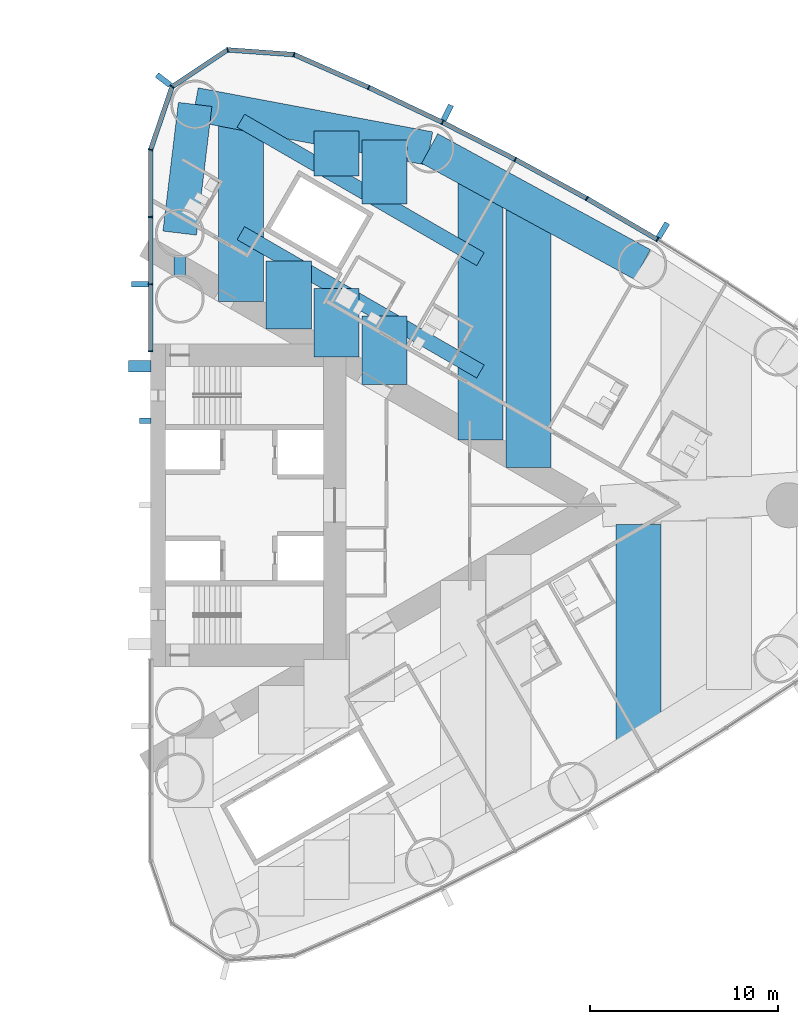
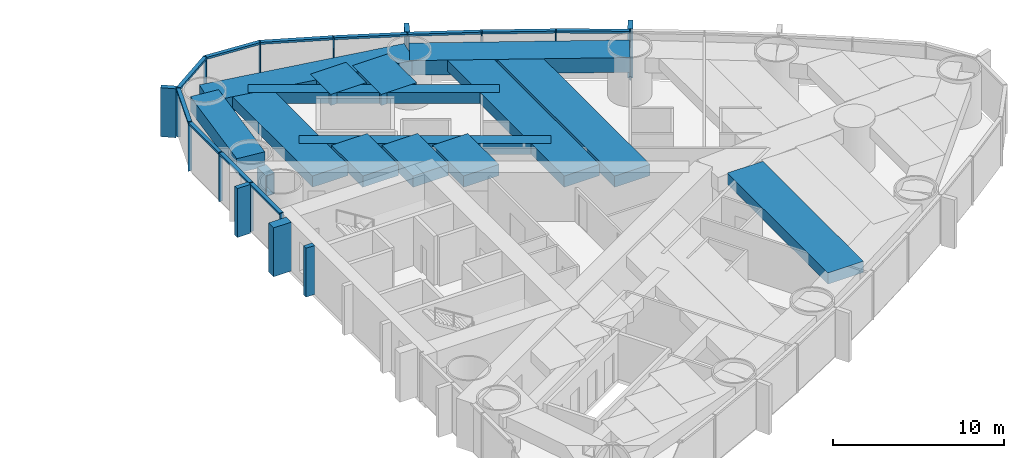
# One storey, part 7 of 19: 29 members, 15 beams, 1 element without a shape of its own.
"""IFC4 building model written with IfcOpenShell, lengths in metres."""

from ifc_helpers import new_model, si_unit, direction, frame, origin, origin_2d, place, context, subcontext, project, spatial, rectangle, hollow_rectangle, extrude, material, material_profile, profile_set, type_object, element, aggregate, save


model = new_model("IFC4")

# Units and contexts
model_context = context("Model", 3, precision=1e-05, world=origin(), true_north=direction((0.0, 1.0)))
body_context = subcontext(model_context, "Body", "Model", "MODEL_VIEW")
ifc_project = project(units=[si_unit("LENGTHUNIT", "METRE"), si_unit("AREAUNIT", "SQUARE_METRE"), si_unit("VOLUMEUNIT", "CUBIC_METRE"), si_unit("PLANEANGLEUNIT", "RADIAN"), si_unit("MASSUNIT", "GRAM", prefix="KILO")], contexts=[model_context])

# Site, building, storey
site_placement = place(None, origin())
site = spatial("IfcSite", under=ifc_project, at=site_placement, CompositionType="ELEMENT")
building_placement = place(site_placement, origin())
building = spatial("IfcBuilding", under=site, at=building_placement, Name="Lancet Gate Hotel", CompositionType="ELEMENT")
storey_placement = place(building_placement, frame((0.0, 0.0, 122.10009765625)))
storey = spatial("IfcBuildingStorey", under=building, at=storey_placement, Name="L32", CompositionType="ELEMENT", Elevation=122.10009765625)

# Curtain wall, members
ifc_material_1 = material(Name="Aluminium curtain wall", Category="aluminium")
curtain_wall_type = type_object("IfcCurtainWallType", Name="Tower unitised curtain wall", PredefinedType="USERDEFINED", material=ifc_material_1)
curtain_wall_placement = place(storey_placement, origin())
curtain_wall = element("IfcCurtainWall", 1, at=curtain_wall_placement, inside=storey, type_object=curtain_wall_type, Name="T2 L32 curtain wall 1", ObjectType="UNITISED CURTAIN WALL", PredefinedType="USERDEFINED")
ifc_material_2 = material(Name="Aluminium mullion", Category="aluminium")
ifc_material_profile_1 = material_profile(ifc_material_2, rectangle(XDim=0.06494140625, YDim=0.25, at=origin_2d()), Name="MULLION 65x250")
ifc_profile_set_1 = profile_set([ifc_material_profile_1], Name="Aluminium mullion")
member_type_1 = type_object("IfcMemberType", Name="Aluminium mullion 65x250", PredefinedType="MULLION", material=ifc_profile_set_1)
member_1_placement = place(storey_placement, frame((54.496337890625, 14.1552734375, 0.0), z_axis=(0.0, 0.0, 1.0), x_axis=(-0.856728030701, 0.515768437781, 0.0)))
member_1 = element("IfcMember", 2, at=member_1_placement, type_object=member_type_1, Name="T2 L32 curtain wall 1 mullion 23", PredefinedType="MULLION", context=body_context, shape_type="SweptSolid", body=[
    extrude(rectangle(XDim=0.06494140625, YDim=0.25, at=origin_2d()), origin(), (0.0, 0.0, 1.0), 3.5),
])
member_2_placement = place(storey_placement, frame((50.740478515625, 16.344482421875, 0.0), z_axis=(0.0, 0.0, 1.0), x_axis=(-0.871028838445, 0.491231882716, 0.0)))
member_2 = element("IfcMember", 3, at=member_2_placement, type_object=member_type_1, Name="T2 L32 curtain wall 1 mullion 24", PredefinedType="MULLION", context=body_context, shape_type="SweptSolid", body=[
    extrude(rectangle(XDim=0.06494140625, YDim=0.25, at=origin_2d()), origin(), (0.0, 0.0, 1.0), 3.5),
])
member_3_placement = place(storey_placement, frame((46.923828125, 18.426025390625, 0.0), z_axis=(0.0, 0.0, 1.0), x_axis=(-0.884627112962, 0.466299121822, 0.0)))
member_3 = element("IfcMember", 4, at=member_3_placement, type_object=member_type_1, Name="T2 L32 curtain wall 1 mullion 25", PredefinedType="MULLION", context=body_context, shape_type="SweptSolid", body=[
    extrude(rectangle(XDim=0.06494140625, YDim=0.25, at=origin_2d()), origin(), (0.0, 0.0, 1.0), 3.5),
])
member_4_placement = place(storey_placement, frame((43.0498046875, 20.398193359375, 0.0), z_axis=(0.0, 0.0, 1.0), x_axis=(-0.897511886496, 0.440990264743, 0.0)))
member_4 = element("IfcMember", 5, at=member_4_placement, type_object=member_type_1, Name="T2 L32 curtain wall 1 mullion 26", PredefinedType="MULLION", context=body_context, shape_type="SweptSolid", body=[
    extrude(rectangle(XDim=0.06494140625, YDim=0.25, at=origin_2d()), origin(), (0.0, 0.0, 1.0), 3.5),
])
member_5_placement = place(storey_placement, frame((39.12109375, 22.259765625, 0.0), z_axis=(0.0, 0.0, 1.0), x_axis=(-0.909672766767, 0.415325724465, 0.0)))
member_5 = element("IfcMember", 6, at=member_5_placement, type_object=member_type_1, Name="T2 L32 curtain wall 1 mullion 27", PredefinedType="MULLION", context=body_context, shape_type="SweptSolid", body=[
    extrude(rectangle(XDim=0.06494140625, YDim=0.25, at=origin_2d()), origin(), (0.0, 0.0, 1.0), 3.5),
])
member_6_placement = place(storey_placement, frame((35.141357421875, 24.009033203125, 0.0), z_axis=(0.0, 0.0, 1.0), x_axis=(-0.966317378791, 0.257353304711, 0.0)))
member_6 = element("IfcMember", 7, at=member_6_placement, type_object=member_type_1, Name="T2 L32 curtain wall 1 mullion 28", PredefinedType="MULLION", context=body_context, shape_type="SweptSolid", body=[
    extrude(rectangle(XDim=0.06494140625, YDim=0.25, at=origin_2d()), origin(), (0.0, 0.0, 1.0), 3.5),
])
member_7_placement = place(storey_placement, frame((31.60205078125, 24.26220703125, 0.0), z_axis=(0.0, 0.0, 1.0), x_axis=(-0.967157174963, -0.254179068604, 0.0)))
member_7 = element("IfcMember", 8, at=member_7_placement, type_object=member_type_1, Name="T2 L32 curtain wall 1 mullion 29", PredefinedType="MULLION", context=body_context, shape_type="SweptSolid", body=[
    extrude(rectangle(XDim=0.06494140625, YDim=0.25, at=origin_2d()), origin(), (0.0, 0.0, 1.0), 3.5),
])
member_8_placement = place(storey_placement, frame((28.64453125, 22.301513671875, 0.0), z_axis=(0.0, 0.0, 1.0), x_axis=(-0.610663954798, -0.79188984986, 0.0)))
member_8 = element("IfcMember", 9, at=member_8_placement, type_object=member_type_1, Name="T2 L32 curtain wall 1 mullion 30", PredefinedType="MULLION", context=body_context, shape_type="SweptSolid", body=[
    extrude(rectangle(XDim=0.06494140625, YDim=0.25, at=origin_2d()), origin(), (0.0, 0.0, 1.0), 3.5),
])
member_9_placement = place(storey_placement, frame((27.5, 18.94287109375, 0.0), z_axis=(0.0, 0.0, 1.0), x_axis=(-0.162738742557, -0.986669195663, 0.0)))
member_9 = element("IfcMember", 10, at=member_9_placement, type_object=member_type_1, Name="T2 L32 curtain wall 1 mullion 31", PredefinedType="MULLION", context=body_context, shape_type="SweptSolid", body=[
    extrude(rectangle(XDim=0.06494140625, YDim=0.25, at=origin_2d()), origin(), (0.0, 0.0, 1.0), 3.5),
])
member_10_placement = place(storey_placement, frame((27.5, 15.362060546875, 0.0), z_axis=(0.0, 0.0, 1.0), x_axis=(0.0, -1.0, 0.0)))
member_10 = element("IfcMember", 11, at=member_10_placement, type_object=member_type_1, Name="T2 L32 curtain wall 1 mullion 32", PredefinedType="MULLION", context=body_context, shape_type="SweptSolid", body=[
    extrude(rectangle(XDim=0.06494140625, YDim=0.25, at=origin_2d()), origin(), (0.0, 0.0, 1.0), 3.5),
])
member_11_placement = place(storey_placement, frame((27.5, 11.781005859375, 0.0), z_axis=(0.0, 0.0, 1.0), x_axis=(0.0, -1.0, 0.0)))
member_11 = element("IfcMember", 12, at=member_11_placement, type_object=member_type_1, Name="T2 L32 curtain wall 1 mullion 33", PredefinedType="MULLION", context=body_context, shape_type="SweptSolid", body=[
    extrude(rectangle(XDim=0.06494140625, YDim=0.25, at=origin_2d()), origin(), (0.0, 0.0, 1.0), 3.5),
])
member_12_placement = place(storey_placement, frame((27.5, 8.199951171875, 0.0), z_axis=(0.0, 0.0, 1.0), x_axis=(0.0, -1.0, 0.0)))
member_12 = element("IfcMember", 13, at=member_12_placement, type_object=member_type_1, Name="T2 L32 curtain wall 1 mullion 34", PredefinedType="MULLION", context=body_context, shape_type="SweptSolid", body=[
    extrude(rectangle(XDim=0.06494140625, YDim=0.25, at=origin_2d()), origin(), (0.0, 0.0, 1.0), 3.5),
])
ifc_material_3 = material(Name="Aluminium transom", Category="aluminium")
ifc_material_profile_2 = material_profile(ifc_material_3, rectangle(XDim=0.25, YDim=0.14990234375, at=origin_2d()), Name="TRANSOM 250x150")
ifc_profile_set_2 = profile_set([ifc_material_profile_2], Name="Aluminium transom")
member_type_2 = type_object("IfcMemberType", Name="Aluminium transom 250x150", PredefinedType="USERDEFINED", material=ifc_profile_set_2)
member_13_placement = place(storey_placement, frame((54.46826171875, 14.171630859375, 3.4248046875), z_axis=(-0.863973212152, 0.503537772847, 0.0), x_axis=(-0.503537772847, -0.863973212152, 0.0)))
member_13 = element("IfcMember", 14, at=member_13_placement, type_object=member_type_2, Name="T2 L32 curtain wall 1 transom 23", ObjectType="TRANSOM", PredefinedType="USERDEFINED", context=body_context, shape_type="SweptSolid", body=[
    extrude(rectangle(XDim=0.25, YDim=0.14990234375, at=origin_2d()), origin(), (0.0, 0.0, 1.0), 4.2822265625),
])
member_14_placement = place(storey_placement, frame((50.7119140625, 16.35986328125, 3.4248046875), z_axis=(-0.877906466435, 0.478832158685, 0.0), x_axis=(-0.478832158685, -0.877906466435, 0.0)))
member_14 = element("IfcMember", 15, at=member_14_placement, type_object=member_type_2, Name="T2 L32 curtain wall 1 transom 24", ObjectType="TRANSOM", PredefinedType="USERDEFINED", context=body_context, shape_type="SweptSolid", body=[
    extrude(rectangle(XDim=0.25, YDim=0.14990234375, at=origin_2d()), origin(), (0.0, 0.0, 1.0), 4.282470703125),
])
member_15_placement = place(storey_placement, frame((46.89501953125, 18.440673828125, 3.4248046875), z_axis=(-0.891165630033, 0.453678101574, 0.0), x_axis=(-0.453678101574, -0.891165630033, 0.0)))
member_15 = element("IfcMember", 16, at=member_15_placement, type_object=member_type_2, Name="T2 L32 curtain wall 1 transom 25", ObjectType="TRANSOM", PredefinedType="USERDEFINED", context=body_context, shape_type="SweptSolid", body=[
    extrude(rectangle(XDim=0.25, YDim=0.14990234375, at=origin_2d()), origin(), (0.0, 0.0, 1.0), 4.282470703125),
])
member_16_placement = place(storey_placement, frame((43.0205078125, 20.412109375, 3.4248046875), z_axis=(-0.903679787814, 0.428208875546, 0.0), x_axis=(-0.428208875546, -0.903679787814, 0.0)))
member_16 = element("IfcMember", 17, at=member_16_placement, type_object=member_type_2, Name="T2 L32 curtain wall 1 transom 26", ObjectType="TRANSOM", PredefinedType="USERDEFINED", context=body_context, shape_type="SweptSolid", body=[
    extrude(rectangle(XDim=0.25, YDim=0.14990234375, at=origin_2d()), origin(), (0.0, 0.0, 1.0), 4.282470703125),
])
member_17_placement = place(storey_placement, frame((39.09130859375, 22.27294921875, 3.4248046875), z_axis=(-0.915484772266, 0.402352621155, 0.0), x_axis=(-0.402352621155, -0.915484772266, 0.0)))
member_17 = element("IfcMember", 18, at=member_17_placement, type_object=member_type_2, Name="T2 L32 curtain wall 1 transom 27", ObjectType="TRANSOM", PredefinedType="USERDEFINED", context=body_context, shape_type="SweptSolid", body=[
    extrude(rectangle(XDim=0.25, YDim=0.14990234375, at=origin_2d()), origin(), (0.0, 0.0, 1.0), 4.281982421875),
])
member_18_placement = place(storey_placement, frame((35.10888671875, 24.01123046875, 3.4248046875), z_axis=(-0.997446232115, 0.071421383636, 0.0), x_axis=(-0.071421383636, -0.997446232115, 0.0)))
member_18 = element("IfcMember", 19, at=member_18_placement, type_object=member_type_2, Name="T2 L32 curtain wall 1 transom 28", ObjectType="TRANSOM", PredefinedType="USERDEFINED", context=body_context, shape_type="SweptSolid", body=[
    extrude(rectangle(XDim=0.25, YDim=0.14990234375, at=origin_2d()), origin(), (0.0, 0.0, 1.0), 3.483154296875),
])
member_19_placement = place(storey_placement, frame((31.574951171875, 24.244384765625, 3.4248046875), z_axis=(-0.833470854141, -0.552563421968, 0.0), x_axis=(0.552563421968, -0.833470854141, 0.0)))
member_19 = element("IfcMember", 20, at=member_19_placement, type_object=member_type_2, Name="T2 L32 curtain wall 1 transom 29", ObjectType="TRANSOM", PredefinedType="USERDEFINED", context=body_context, shape_type="SweptSolid", body=[
    extrude(rectangle(XDim=0.25, YDim=0.14990234375, at=origin_2d()), origin(), (0.0, 0.0, 1.0), 3.4833984375),
])
member_20_placement = place(storey_placement, frame((28.634033203125, 22.270751953125, 3.4248046875), z_axis=(-0.322549769135, -0.946552505903, 0.0), x_axis=(0.946552505903, -0.322549769135, 0.0)))
member_20 = element("IfcMember", 21, at=member_20_placement, type_object=member_type_2, Name="T2 L32 curtain wall 1 transom 30", ObjectType="TRANSOM", PredefinedType="USERDEFINED", context=body_context, shape_type="SweptSolid", body=[
    extrude(rectangle(XDim=0.25, YDim=0.14990234375, at=origin_2d()), origin(), (0.0, 0.0, 1.0), 3.4833984375),
])
member_21_placement = place(storey_placement, frame((27.5, 18.910400390625, 3.4248046875), z_axis=(0.0, -1.0, 0.0), x_axis=(1.0, 0.0, 0.0)))
member_21 = element("IfcMember", 22, at=member_21_placement, type_object=member_type_2, Name="T2 L32 curtain wall 1 transom 31", ObjectType="TRANSOM", PredefinedType="USERDEFINED", context=body_context, shape_type="SweptSolid", body=[
    extrude(rectangle(XDim=0.25, YDim=0.14990234375, at=origin_2d()), origin(), (0.0, 0.0, 1.0), 3.515869140625),
])
member_22_placement = place(storey_placement, frame((27.5, 15.329345703125, 3.4248046875), z_axis=(0.0, -1.0, 0.0), x_axis=(1.0, 0.0, 0.0)))
member_22 = element("IfcMember", 23, at=member_22_placement, type_object=member_type_2, Name="T2 L32 curtain wall 1 transom 32", ObjectType="TRANSOM", PredefinedType="USERDEFINED", context=body_context, shape_type="SweptSolid", body=[
    extrude(rectangle(XDim=0.25, YDim=0.14990234375, at=origin_2d()), origin(), (0.0, 0.0, 1.0), 3.515869140625),
])
member_23_placement = place(storey_placement, frame((27.5, 11.74853515625, 3.4248046875), z_axis=(0.0, -1.0, 0.0), x_axis=(1.0, 0.0, 0.0)))
member_23 = element("IfcMember", 24, at=member_23_placement, type_object=member_type_2, Name="T2 L32 curtain wall 1 transom 33", ObjectType="TRANSOM", PredefinedType="USERDEFINED", context=body_context, shape_type="SweptSolid", body=[
    extrude(rectangle(XDim=0.25, YDim=0.14990234375, at=origin_2d()), origin(), (0.0, 0.0, 1.0), 3.51611328125),
])

# Beams
ifc_material_4 = material(Name="Concrete C50/60", Category="concrete")
ifc_material_profile_3 = material_profile(ifc_material_4, rectangle(XDim=1.800048828125, YDim=1.050048828125, at=origin_2d()), Name="RC 1800x1050")
ifc_profile_set_3 = profile_set([ifc_material_profile_3], Name="Concrete C50/60")
beam_type_1 = type_object("IfcBeamType", Name="Edge beam RC 1800x1050", PredefinedType="SPANDREL", material=ifc_profile_set_3)
beam_1_placement = place(storey_placement, frame((53.697021484375, 12.827392578125, 2.724853515625), z_axis=(-0.87792015078, 0.478807068509, 0.0), x_axis=(-0.478807068509, -0.87792015078, 0.0)))
element("IfcBeam", 25, at=beam_1_placement, inside=storey, type_object=beam_type_1, Name="T2 edge beam EB1 L32", PredefinedType="SPANDREL", context=body_context, shape_type="SweptSolid", body=[
    extrude(rectangle(XDim=1.800048828125, YDim=1.050048828125, at=origin_2d()), origin(), (0.0, 0.0, 1.0), 12.906494140625),
])
beam_2_placement = place(storey_placement, frame((42.3662109375, 19.007080078125, 2.724853515625), z_axis=(-0.982797318081, 0.184687388776, 0.0), x_axis=(-0.184687388776, -0.982797318081, 0.0)))
element("IfcBeam", 26, at=beam_2_placement, inside=storey, type_object=beam_type_1, Name="T2 edge beam EB1 L32", PredefinedType="SPANDREL", context=body_context, shape_type="SweptSolid", body=[
    extrude(rectangle(XDim=1.800048828125, YDim=1.050048828125, at=origin_2d()), origin(), (0.0, 0.0, 1.0), 12.712890625),
])
beam_3_placement = place(storey_placement, frame((29.050048828125, 14.5, 2.724853515625), z_axis=(0.119062951196, 0.99288670736, 0.0), x_axis=(-0.99288670736, 0.119062951196, 0.0)))
element("IfcBeam", 27, at=beam_3_placement, inside=storey, type_object=beam_type_1, Name="T2 edge beam EB1 L32", PredefinedType="SPANDREL", context=body_context, shape_type="SweptSolid", body=[
    extrude(rectangle(XDim=1.800048828125, YDim=1.050048828125, at=origin_2d()), origin(), (0.0, 0.0, 1.0), 6.904052734375),
])

# Member
ifc_material_5 = material(Name="Concrete C60/75", Category="concrete")
ifc_material_profile_4 = material_profile(ifc_material_5, rectangle(XDim=0.60009765625, YDim=1.199951171875, at=origin_2d()), Name="FIN 600x1200")
ifc_profile_set_4 = profile_set([ifc_material_profile_4], Name="Concrete C60/75")
member_type_3 = type_object("IfcMemberType", Name="Exposed concrete buttress pilaster 600x1200", PredefinedType="USERDEFINED", material=ifc_profile_set_4)
member_24_placement = place(storey_placement, frame((26.909912109375, 7.39990234375, 0.0), z_axis=(0.0, 0.0, 1.0), x_axis=(0.0, 1.0, 0.0)))
element("IfcMember", 28, at=member_24_placement, inside=storey, type_object=member_type_3, Name="T2 buttress pilaster N L32", ObjectType="FIN", PredefinedType="USERDEFINED", context=body_context, shape_type="SweptSolid", body=[
    extrude(rectangle(XDim=0.60009765625, YDim=1.199951171875, at=origin_2d()), origin(), (0.0, 0.0, 1.0), 3.5),
])

ifc_material_6 = material(Name="Precast concrete C50/60", Category="concrete")
ifc_material_profile_5 = material_profile(ifc_material_6, rectangle(XDim=0.300048828125, YDim=0.89990234375, at=origin_2d()), Name="FIN 300x900")
ifc_profile_set_5 = profile_set([ifc_material_profile_5], Name="Precast concrete C50/60")
member_type_4 = type_object("IfcMemberType", Name="Exposed concrete fin 300x900", PredefinedType="USERDEFINED", material=ifc_profile_set_5)
member_25_placement = place(storey_placement, frame((54.79296875, 14.64794921875, 0.0), z_axis=(0.0, 0.0, 1.0), x_axis=(-0.856728030701, 0.515768437781, 0.0)))
member_25 = element("IfcMember", 29, at=member_25_placement, type_object=member_type_4, Name="T2 L32 curtain wall 1 fin 23", ObjectType="FIN", PredefinedType="USERDEFINED", context=body_context, shape_type="SweptSolid", body=[
    extrude(rectangle(XDim=0.300048828125, YDim=0.89990234375, at=origin_2d()), origin(), (0.0, 0.0, 1.0), 3.5),
])

member_26_placement = place(storey_placement, frame((43.30322265625, 20.914306640625, 0.0), z_axis=(0.0, 0.0, 1.0), x_axis=(-0.897511886496, 0.440990264743, 0.0)))
member_26 = element("IfcMember", 30, at=member_26_placement, type_object=member_type_4, Name="T2 L32 curtain wall 1 fin 26", ObjectType="FIN", PredefinedType="USERDEFINED", context=body_context, shape_type="SweptSolid", body=[
    extrude(rectangle(XDim=0.300048828125, YDim=0.89990234375, at=origin_2d()), origin(), (0.0, 0.0, 1.0), 3.5),
])

member_27_placement = place(storey_placement, frame((28.189208984375, 22.65283203125, 0.0), z_axis=(0.0, 0.0, 1.0), x_axis=(-0.610663954798, -0.79188984986, 0.0)))
member_27 = element("IfcMember", 31, at=member_27_placement, type_object=member_type_4, Name="T2 L32 curtain wall 1 fin 30", ObjectType="FIN", PredefinedType="USERDEFINED", context=body_context, shape_type="SweptSolid", body=[
    extrude(rectangle(XDim=0.300048828125, YDim=0.89990234375, at=origin_2d()), origin(), (0.0, 0.0, 1.0), 3.5),
])

member_28_placement = place(storey_placement, frame((26.925048828125, 11.781005859375, 0.0), z_axis=(0.0, 0.0, 1.0), x_axis=(0.0, -1.0, 0.0)))
member_28 = element("IfcMember", 32, at=member_28_placement, type_object=member_type_4, Name="T2 L32 curtain wall 1 fin 33", ObjectType="FIN", PredefinedType="USERDEFINED", context=body_context, shape_type="SweptSolid", body=[
    extrude(rectangle(XDim=0.300048828125, YDim=0.89990234375, at=origin_2d()), origin(), (0.0, 0.0, 1.0), 3.5),
])

aggregate(curtain_wall, [member_1, member_25, member_2, member_3, member_4, member_26, member_5, member_6, member_7, member_8, member_27, member_9, member_10, member_11, member_28, member_12, member_13, member_14, member_15, member_16, member_17, member_18, member_19, member_20, member_21, member_22, member_23])

ifc_material_7 = material(Name="Concrete C60/75", Category="concrete")
ifc_material_profile_6 = material_profile(ifc_material_7, rectangle(XDim=0.300048828125, YDim=0.60009765625, at=origin_2d()), Name="FIN 300x600")
ifc_profile_set_6 = profile_set([ifc_material_profile_6], Name="Concrete C60/75")
member_type_5 = type_object("IfcMemberType", Name="Exposed concrete rib 300x600", PredefinedType="USERDEFINED", material=ifc_profile_set_6)
member_29_placement = place(storey_placement, frame((27.2099609375, 4.5, 0.0), z_axis=(0.0, 0.0, 1.0), x_axis=(0.0, 1.0, 0.0)))
element("IfcMember", 33, at=member_29_placement, inside=storey, type_object=member_type_5, Name="T2 core rib 3 L32", ObjectType="FIN", PredefinedType="USERDEFINED", context=body_context, shape_type="SweptSolid", body=[
    extrude(rectangle(XDim=0.300048828125, YDim=0.60009765625, at=origin_2d()), origin(), (0.0, 0.0, 1.0), 3.5),
])

# Beams
ifc_material_8 = material(Name="Concrete C50/60", Category="concrete")
ifc_material_profile_7 = material_profile(ifc_material_8, rectangle(XDim=2.39990234375, YDim=0.800048828125, at=origin_2d()), Name="RC 2400x800")
ifc_profile_set_7 = profile_set([ifc_material_profile_7], Name="Concrete C50/60")
beam_type_2 = type_object("IfcBeamType", Name="Floor beam RC 2400x800", PredefinedType="BEAM", material=ifc_profile_set_7)
beam_4_placement = place(storey_placement, frame((32.306396484375, 10.851806640625, 2.849853515625), z_axis=(0.0, 1.0, 0.0), x_axis=(-1.0, 0.0, 0.0)))
element("IfcBeam", 34, at=beam_4_placement, inside=storey, type_object=beam_type_2, Name="T2 floor beam F02N L32", PredefinedType="BEAM", context=body_context, shape_type="SweptSolid", body=[
    extrude(rectangle(XDim=2.39990234375, YDim=0.800048828125, at=origin_2d()), origin(), (0.0, 0.0, 1.0), 10.0458984375),
])
beam_5_placement = place(storey_placement, frame((45.072265625, 3.4814453125, 2.849853515625), z_axis=(0.0, 1.0, 0.0), x_axis=(-1.0, 0.0, 0.0)))
element("IfcBeam", 35, at=beam_5_placement, inside=storey, type_object=beam_type_2, Name="T2 floor beam F10N L32", PredefinedType="BEAM", context=body_context, shape_type="SweptSolid", body=[
    extrude(rectangle(XDim=2.39990234375, YDim=0.800048828125, at=origin_2d()), origin(), (0.0, 0.0, 1.0), 14.0498046875),
])
beam_6_placement = place(storey_placement, frame((47.62548828125, 2.00732421875, 2.849853515625), z_axis=(0.0, 1.0, 0.0), x_axis=(-1.0, 0.0, 0.0)))
element("IfcBeam", 36, at=beam_6_placement, inside=storey, type_object=beam_type_2, Name="T2 floor beam F12N L32", PredefinedType="BEAM", context=body_context, shape_type="SweptSolid", body=[
    extrude(rectangle(XDim=2.39990234375, YDim=0.800048828125, at=origin_2d()), origin(), (0.0, 0.0, 1.0), 14.13134765625),
])
beam_7_placement = place(storey_placement, frame((53.502197265625, -12.804443359375, 2.849853515625), z_axis=(0.0, 1.0, 0.0), x_axis=(-1.0, 0.0, 0.0)))
element("IfcBeam", 37, at=beam_7_placement, inside=storey, type_object=beam_type_2, Name="T2 floor beam F13S L32", PredefinedType="BEAM", context=body_context, shape_type="SweptSolid", body=[
    extrude(rectangle(XDim=2.39990234375, YDim=0.800048828125, at=origin_2d()), origin(), (0.0, 0.0, 1.0), 11.78564453125),
])
beam_8_placement = place(storey_placement, frame((34.859619140625, 9.377685546875, 2.849853515625), z_axis=(0.0, 1.0, 0.0), x_axis=(-1.0, 0.0, 0.0)))
element("IfcBeam", 38, at=beam_8_placement, inside=storey, type_object=beam_type_2, Name="T2 floor beam F04NA L32", PredefinedType="BEAM", context=body_context, shape_type="SweptSolid", body=[
    extrude(rectangle(XDim=2.39990234375, YDim=0.800048828125, at=origin_2d()), origin(), (0.0, 0.0, 1.0), 3.645751953125),
])
beam_9_placement = place(storey_placement, frame((37.412841796875, 7.903564453125, 2.849853515625), z_axis=(0.0, 1.0, 0.0), x_axis=(-1.0, 0.0, 0.0)))
element("IfcBeam", 39, at=beam_9_placement, inside=storey, type_object=beam_type_2, Name="T2 floor beam F06NA L32", PredefinedType="BEAM", context=body_context, shape_type="SweptSolid", body=[
    extrude(rectangle(XDim=2.39990234375, YDim=0.800048828125, at=origin_2d()), origin(), (0.0, 0.0, 1.0), 3.6455078125),
])
beam_10_placement = place(storey_placement, frame((37.412841796875, 17.537109375, 2.849853515625), z_axis=(0.0, 1.0, 0.0), x_axis=(-1.0, 0.0, 0.0)))
element("IfcBeam", 40, at=beam_10_placement, inside=storey, type_object=beam_type_2, Name="T2 floor beam F06NB L32", PredefinedType="BEAM", context=body_context, shape_type="SweptSolid", body=[
    extrude(rectangle(XDim=2.39990234375, YDim=0.800048828125, at=origin_2d()), origin(), (0.0, 0.0, 1.0), 2.40087890625),
])
beam_11_placement = place(storey_placement, frame((39.9658203125, 6.429443359375, 2.849853515625), z_axis=(0.0, 1.0, 0.0), x_axis=(-1.0, 0.0, 0.0)))
element("IfcBeam", 41, at=beam_11_placement, inside=storey, type_object=beam_type_2, Name="T2 floor beam F08NA L32", PredefinedType="BEAM", context=body_context, shape_type="SweptSolid", body=[
    extrude(rectangle(XDim=2.39990234375, YDim=0.800048828125, at=origin_2d()), origin(), (0.0, 0.0, 1.0), 3.64501953125),
])
beam_12_placement = place(storey_placement, frame((39.9658203125, 16.062744140625, 2.849853515625), z_axis=(0.0, 1.0, 0.0), x_axis=(-1.0, 0.0, 0.0)))
element("IfcBeam", 42, at=beam_12_placement, inside=storey, type_object=beam_type_2, Name="T2 floor beam F08NB L32", PredefinedType="BEAM", context=body_context, shape_type="SweptSolid", body=[
    extrude(rectangle(XDim=2.39990234375, YDim=0.800048828125, at=origin_2d()), origin(), (0.0, 0.0, 1.0), 3.3955078125),
])
ifc_material_9 = material(Name="Steel S460QL", Category="steel")
ifc_material_profile_8 = material_profile(ifc_material_9, hollow_rectangle(XDim=0.60009765625, YDim=1.5, WallThickness=0.050048828125, at=origin_2d()), Name="BOX 1500x600x50")
ifc_profile_set_8 = profile_set([ifc_material_profile_8], Name="Steel S460QL")
beam_type_3 = type_object("IfcBeamType", Name="Inner-face link beam BOX 1500x600x50", PredefinedType="BEAM", material=ifc_profile_set_8)
beam_13_placement = place(storey_placement, frame((29.050048828125, 12.25, 2.5), z_axis=(0.0, 1.0, 0.0), x_axis=(-1.0, 0.0, 0.0)))
element("IfcBeam", 43, at=beam_13_placement, inside=storey, type_object=beam_type_3, Name="T2 inner-face link beam LK1 L32", PredefinedType="BEAM", context=body_context, shape_type="SweptSolid", body=[
    extrude(hollow_rectangle(XDim=0.60009765625, YDim=1.5, WallThickness=0.050048828125, at=origin_2d()), origin(), (0.0, 0.0, 1.0), 1.0),
])
ifc_material_10 = material(Name="Steel S460QL", Category="steel")
ifc_material_profile_9 = material_profile(ifc_material_10, hollow_rectangle(XDim=0.800048828125, YDim=0.800048828125, WallThickness=0.080078125, at=origin_2d()), Name="BOX 800x800x80")
ifc_profile_set_9 = profile_set([ifc_material_profile_9], Name="Steel S460QL")
beam_type_4 = type_object("IfcBeamType", Name="Trimmer beam BOX 800x800x80", PredefinedType="BEAM", material=ifc_profile_set_9)
beam_14_placement = place(storey_placement, frame((32.306396484375, 20.48583984375, 2.849853515625), z_axis=(0.86598286195, -0.500073677381, 0.0), x_axis=(0.500073677381, 0.86598286195, 0.0)))
element("IfcBeam", 44, at=beam_14_placement, inside=storey, type_object=beam_type_4, Name="T2 trimmer beam TR03N L32", PredefinedType="BEAM", context=body_context, shape_type="SweptSolid", body=[
    extrude(hollow_rectangle(XDim=0.800048828125, YDim=0.800048828125, WallThickness=0.080078125, at=origin_2d()), origin(), (0.0, 0.0, 1.0), 14.741455078125),
])
beam_15_placement = place(storey_placement, frame((32.306396484375, 14.497802734375, 2.849853515625), z_axis=(0.865975689888, -0.500086097111, 0.0), x_axis=(0.500086097111, 0.865975689888, 0.0)))
element("IfcBeam", 45, at=beam_15_placement, inside=storey, type_object=beam_type_4, Name="T2 trimmer beam TR04N L32", PredefinedType="BEAM", context=body_context, shape_type="SweptSolid", body=[
    extrude(hollow_rectangle(XDim=0.800048828125, YDim=0.800048828125, WallThickness=0.080078125, at=origin_2d()), origin(), (0.0, 0.0, 1.0), 14.74169921875),
])

save(model, "model.ifc")
